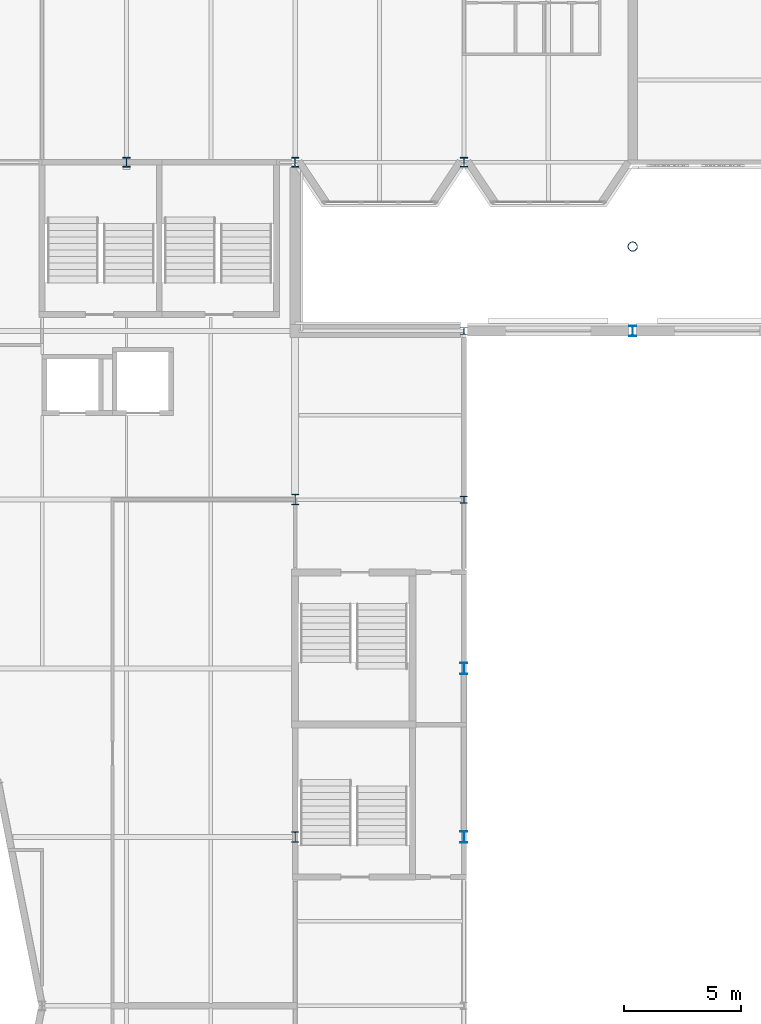
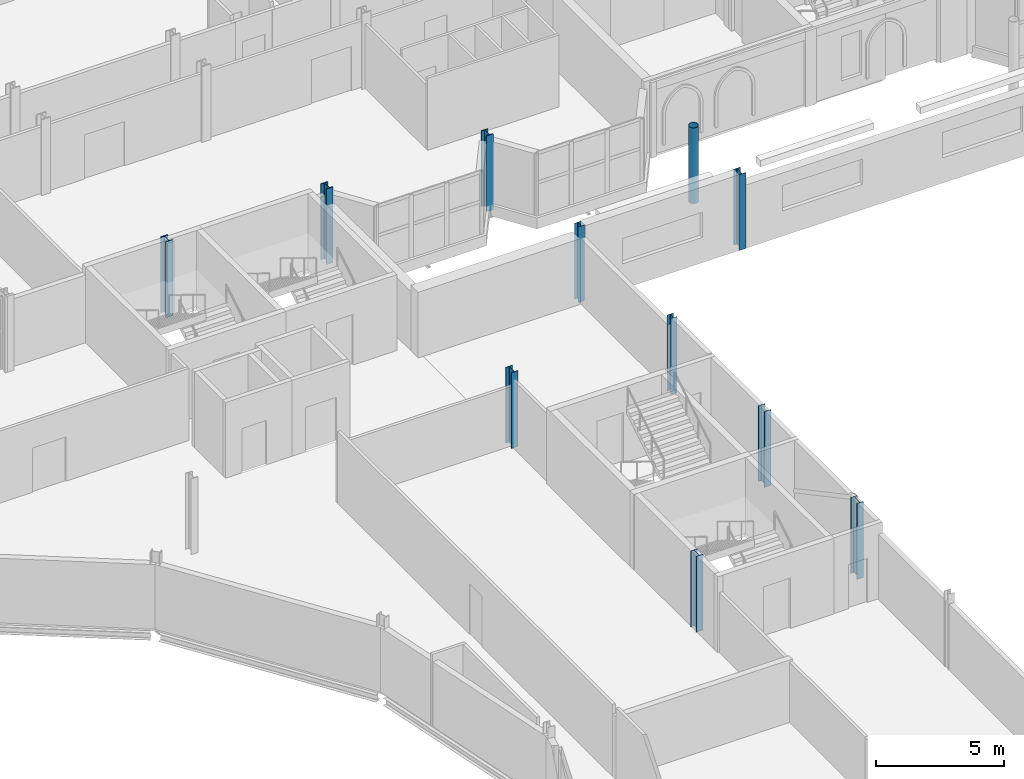
# One storey, part 11 of 124: 11 columns.
"""IFC4 building model written with IfcOpenShell, lengths in metres."""

from ifc_helpers import new_model, si_unit, direction, frame, origin, origin_2d, place, context, subcontext, project, spatial, hollow_circle, i_section, extrude, material, material_profile, profile_set, type_object, element, save


model = new_model("IFC4")

# Units and contexts
model_context = context("Model", 3, precision=1e-05, world=origin(), true_north=direction((0.0, 1.0)))
body_context = subcontext(model_context, "Body", "Model", "MODEL_VIEW")
ifc_project = project(units=[si_unit("LENGTHUNIT", "METRE"), si_unit("AREAUNIT", "SQUARE_METRE"), si_unit("VOLUMEUNIT", "CUBIC_METRE"), si_unit("PLANEANGLEUNIT", "RADIAN"), si_unit("MASSUNIT", "GRAM", prefix="KILO")], contexts=[model_context])

# Site, building, storey
site_placement = place(None, origin())
site = spatial("IfcSite", under=ifc_project, at=site_placement, CompositionType="ELEMENT")
building_placement = place(site_placement, origin())
building = spatial("IfcBuilding", under=site, at=building_placement, Name="Kupolbacken Congress Centre", CompositionType="ELEMENT")
storey_placement = place(building_placement, frame((0.0, 0.0, 10.800048828125)))
storey = spatial("IfcBuildingStorey", under=building, at=storey_placement, Name="L03", CompositionType="ELEMENT", Elevation=10.800048828125)

# Columns
ifc_material_1 = material(Name="Steel S355", Category="steel")
ifc_material_profile_1 = material_profile(ifc_material_1, i_section(OverallWidth=0.306884765625, OverallDepth=0.431884765625, WebThickness=0.02099609375, FlangeThickness=0.0400390625, FilletRadius=0.027099609375, at=origin_2d()), Name="HEM 400")
ifc_profile_set_1 = profile_set([ifc_material_profile_1], Name="Steel S355")
column_type_1 = type_object("IfcColumnType", Name="C02 column HEM 400", PredefinedType="COLUMN", material=ifc_profile_set_1)
for number, where, z_axis, x_axis, name in (
    (1, (72.0, 122.39990234375, 0.0), (0.0, 0.0, 1.0), (1.0, 0.0, 0.0), "S/col/C-T-11T/L03"),
    (2, (79.199951171875, 122.39990234375, 0.0), (0.0, 0.0, 1.0), (1.0, 0.0, 0.0), "S/col/C-T-12T/L03"),
    (3, (86.39990234375, 122.39990234375, 0.0), (0.0, 0.0, 1.0), (1.0, 0.0, 0.0), "S/col/C-T-13T/L03"),
):
    element("IfcColumn", number, at=place(storey_placement, frame(where, z_axis=z_axis, x_axis=x_axis)), inside=storey, type_object=column_type_1, Name=name, PredefinedType="COLUMN", context=body_context, shape_type="SweptSolid", body=[
        extrude(i_section(OverallWidth=0.306884765625, OverallDepth=0.431884765625, WebThickness=0.02099609375, FlangeThickness=0.0400390625, FilletRadius=0.027099609375, at=origin_2d()), origin(), (0.0, 0.0, 1.0), 3.599853515625),
    ])
ifc_material_2 = material(Name="Steel S355", Category="steel")
ifc_material_profile_2 = material_profile(ifc_material_2, i_section(OverallWidth=0.300048828125, OverallDepth=0.449951171875, WebThickness=0.013916015625, FlangeThickness=0.02587890625, FilletRadius=0.027099609375, at=origin_2d()), Name="HEB 450")
ifc_profile_set_2 = profile_set([ifc_material_profile_2], Name="Steel S355")
column_type_2 = type_object("IfcColumnType", Name="C03 column HEB 450", PredefinedType="COLUMN", material=ifc_profile_set_2)
for number, where, z_axis, x_axis, name in (
    (4, (79.199951171875, 93.60009765625, 0.0), (0.0, 0.0, 1.0), (1.0, 0.0, 0.0), "S/col/C-P-12P/L03"),
    (5, (79.199951171875, 108.0, 0.0), (0.0, 0.0, 1.0), (1.0, 0.0, 0.0), "S/col/C-P-12R/L03"),
):
    element("IfcColumn", number, at=place(storey_placement, frame(where, z_axis=z_axis, x_axis=x_axis)), inside=storey, type_object=column_type_2, Name=name, PredefinedType="COLUMN", context=body_context, shape_type="SweptSolid", body=[
        extrude(i_section(OverallWidth=0.300048828125, OverallDepth=0.449951171875, WebThickness=0.013916015625, FlangeThickness=0.02587890625, FilletRadius=0.027099609375, at=origin_2d()), origin(), (0.0, 0.0, 1.0), 3.599853515625),
    ])
ifc_material_3 = material(Name="Steel S355", Category="steel")
ifc_material_profile_3 = material_profile(ifc_material_3, i_section(OverallWidth=0.300048828125, OverallDepth=0.43994140625, WebThickness=0.011474609375, FlangeThickness=0.02099609375, FilletRadius=0.027099609375, at=origin_2d()), Name="HEA 450")
ifc_profile_set_3 = profile_set([ifc_material_profile_3], Name="Steel S355")
column_type_3 = type_object("IfcColumnType", Name="C07 column HEA 450", PredefinedType="COLUMN", material=ifc_profile_set_3)
column_1_placement = place(storey_placement, frame((93.60009765625, 115.199951171875, 0.0), z_axis=(0.0, 0.0, 1.0), x_axis=(1.0, 0.0, 0.0)))
element("IfcColumn", 6, at=column_1_placement, inside=storey, type_object=column_type_3, Name="S/col/C-H-T1N/L03", PredefinedType="COLUMN", context=body_context, shape_type="SweptSolid", body=[
    extrude(i_section(OverallWidth=0.300048828125, OverallDepth=0.43994140625, WebThickness=0.011474609375, FlangeThickness=0.02099609375, FilletRadius=0.027099609375, at=origin_2d()), origin(), (0.0, 0.0, 1.0), 3.599853515625),
])
ifc_material_4 = material(Name="Steel S355", Category="steel")
ifc_material_profile_4 = material_profile(ifc_material_4, i_section(OverallWidth=0.300048828125, OverallDepth=0.2900390625, WebThickness=0.008544921875, FlangeThickness=0.013916015625, FilletRadius=0.027099609375, at=origin_2d()), Name="HEA 300")
ifc_profile_set_4 = profile_set([ifc_material_profile_4], Name="Steel S355")
column_type_4 = type_object("IfcColumnType", Name="C09 column HEA 300", PredefinedType="COLUMN", material=ifc_profile_set_4)
for number, where, z_axis, x_axis, name in (
    (7, (86.39990234375, 108.0, 0.0), (0.0, 0.0, 1.0), (1.0, 0.0, 0.0), "S/col/C-H-PW10/L03"),
    (8, (86.39990234375, 115.199951171875, 0.0), (0.0, 0.0, 1.0), (1.0, 0.0, 0.0), "S/col/C-H-PW11/L03"),
):
    element("IfcColumn", number, at=place(storey_placement, frame(where, z_axis=z_axis, x_axis=x_axis)), inside=storey, type_object=column_type_4, Name=name, PredefinedType="COLUMN", context=body_context, shape_type="SweptSolid", body=[
        extrude(i_section(OverallWidth=0.300048828125, OverallDepth=0.2900390625, WebThickness=0.008544921875, FlangeThickness=0.013916015625, FilletRadius=0.027099609375, at=origin_2d()), origin(), (0.0, 0.0, 1.0), 3.599853515625),
    ])
ifc_material_5 = material(Name="Steel S355", Category="steel")
ifc_material_profile_5 = material_profile(ifc_material_5, i_section(OverallWidth=0.300048828125, OverallDepth=0.489990234375, WebThickness=0.011962890625, FlangeThickness=0.02294921875, FilletRadius=0.027099609375, at=origin_2d()), Name="HEA 500")
ifc_profile_set_5 = profile_set([ifc_material_profile_5], Name="Steel S355")
column_type_5 = type_object("IfcColumnType", Name="C14 column HEA 500", PredefinedType="COLUMN", material=ifc_profile_set_5)
for number, where, z_axis, x_axis, name in (
    (9, (86.39990234375, 93.60009765625, 0.0), (0.0, 0.0, 1.0), (1.0, 0.0, 0.0), "S/col/C-H-PW08/L03"),
    (10, (86.39990234375, 100.800048828125, 0.0), (0.0, 0.0, 1.0), (1.0, 0.0, 0.0), "S/col/C-H-PW09/L03"),
):
    element("IfcColumn", number, at=place(storey_placement, frame(where, z_axis=z_axis, x_axis=x_axis)), inside=storey, type_object=column_type_5, Name=name, PredefinedType="COLUMN", context=body_context, shape_type="SweptSolid", body=[
        extrude(i_section(OverallWidth=0.300048828125, OverallDepth=0.489990234375, WebThickness=0.011962890625, FlangeThickness=0.02294921875, FilletRadius=0.027099609375, at=origin_2d()), origin(), (0.0, 0.0, 1.0), 3.599853515625),
    ])
ifc_material_6 = material(Name="Steel S355", Category="steel")
ifc_material_profile_6 = material_profile(ifc_material_6, hollow_circle(Radius=0.203125, WallThickness=0.01611328125, at=origin_2d()), Name="CHS 406.4 x 16")
ifc_profile_set_6 = profile_set([ifc_material_profile_6], Name="Steel S355")
column_type_6 = type_object("IfcColumnType", Name="C15 roof mast CHS 406.4 x 16", PredefinedType="COLUMN", material=ifc_profile_set_6)
column_2_placement = place(storey_placement, frame((93.60009765625, 118.800048828125, 0.0), z_axis=(0.0, 0.0, 1.0), x_axis=(1.0, 0.0, 0.0)))
element("IfcColumn", 11, at=column_2_placement, inside=storey, type_object=column_type_6, Name="Roof mast M1N", PredefinedType="COLUMN", context=body_context, shape_type="SweptSolid", body=[
    extrude(hollow_circle(Radius=0.203125, WallThickness=0.01611328125, at=origin_2d()), origin(), (0.0, 0.0, 1.0), 3.599853515625),
])

save(model, "model.ifc")
